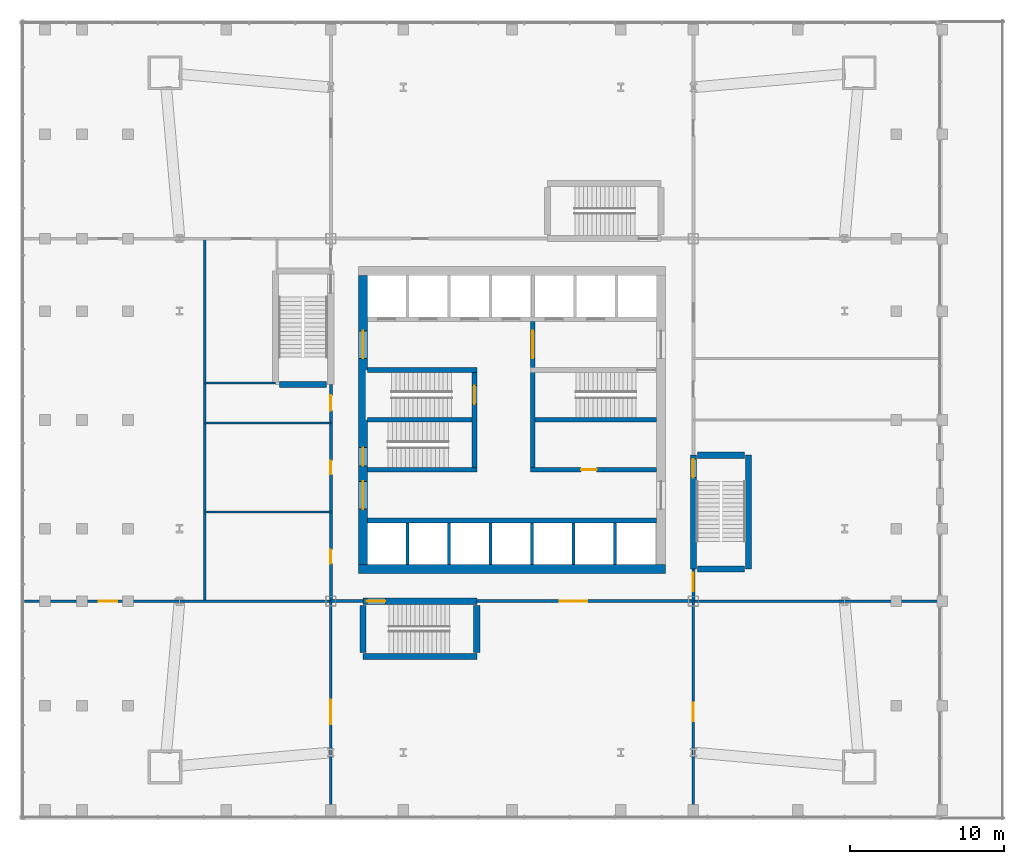
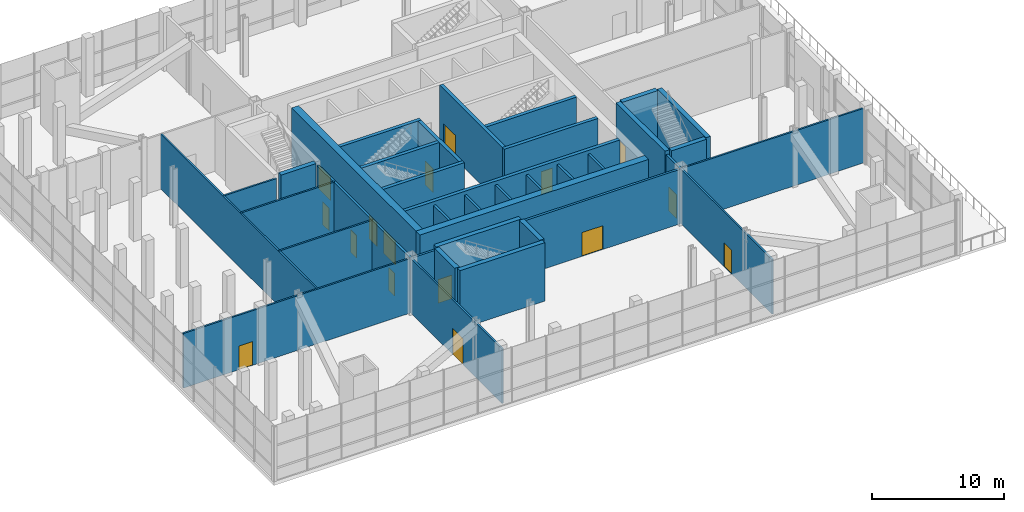
# One storey, part 14 of 17: 37 walls, 16 doors, 16 openings.
"""IFC4 building model written with IfcOpenShell, lengths in metres."""

import ifcopenshell
import ifcopenshell.guid

model = None  # the IFC model being written
_history = None  # IfcOwnerHistory: only IFC2X3 demands one
_inside = {}  # id of a spatial element -> (the spatial element, [elements in it])
_under = {}  # id of a project, library or spatial element -> (it, [spatial elements below it])
_declared = {}  # id of a project -> (the project, [libraries it declares])
_typed = {}  # id of a type object -> (the type object, [elements of that type])
_made_of = {}  # id of a material, layer set ... -> (it, [elements and type objects made of it])


def new_model(schema):
    """Start an empty IFC model of exactly this schema.

    Asked for "IFC4X3", IfcOpenShell would pick the latest addendum, in which some entities
    have other attributes; the version numbers below select the first issue.
    IFC2X3 requires an IfcOwnerHistory on every rooted entity: one is made here for all.
    """
    global model, _history
    if schema == "IFC4X3":
        model = ifcopenshell.file(schema_version=(4, 3, 0, 0))
    else:
        model = ifcopenshell.file(schema=schema)
    _inside.clear()
    _under.clear()
    _declared.clear()
    _typed.clear()
    _made_of.clear()
    _history = None
    if model.schema == "IFC2X3":
        org = make("IfcOrganization", Name="unknown")
        user = make(
            "IfcPersonAndOrganization",
            ThePerson=make("IfcPerson", FamilyName="unknown"),
            TheOrganization=org,
        )
        app = make(
            "IfcApplication",
            ApplicationDeveloper=org,
            Version="unknown",
            ApplicationFullName="unknown",
            ApplicationIdentifier="unknown",
        )
        _history = make(
            "IfcOwnerHistory",
            OwningUser=user,
            OwningApplication=app,
            ChangeAction="ADDED",
            CreationDate=0,
        )
    return model


def make(cls, **values):
    """One entity of the class cls with the attributes given. An attribute that is None is left unset."""
    return model.create_entity(
        cls, **{name: value for name, value in values.items() if value is not None}
    )


def rooted(cls, **values):
    """An entity with a GlobalId (a new one), such as an element, a storey or a relation."""
    return make(cls, GlobalId=ifcopenshell.guid.new(), OwnerHistory=_history, **values)


def si_unit(unit_type, name, prefix=None):
    """IfcSIUnit, for example si_unit("LENGTHUNIT", "METRE", prefix="MILLI")."""
    return make("IfcSIUnit", UnitType=unit_type, Prefix=prefix, Name=name)


def assignment(units):
    """IfcUnitAssignment: the units of a project."""
    return None if units is None else make("IfcUnitAssignment", Units=units)


def point(xyz):
    """IfcCartesianPoint."""
    return None if xyz is None else make("IfcCartesianPoint", Coordinates=xyz)


def direction(xyz):
    """IfcDirection."""
    return None if xyz is None else make("IfcDirection", DirectionRatios=xyz)


def frame(location, z_axis=None, x_axis=None):
    """IfcAxis2Placement3D, a coordinate frame: its origin and axes. An axis left out is left unset."""
    return make(
        "IfcAxis2Placement3D",
        Location=point(location),
        Axis=direction(z_axis),
        RefDirection=direction(x_axis),
    )


def frame_2d(location, x_axis=None):
    """IfcAxis2Placement2D, a coordinate frame in the plane: its origin and x axis."""
    return make(
        "IfcAxis2Placement2D", Location=point(location), RefDirection=direction(x_axis)
    )


def origin():
    """The frame at (0, 0, 0) with its axes left unset."""
    return frame((0.0, 0.0, 0.0))


def place(relative_to, where):
    """IfcLocalPlacement: puts the frame where relative to a parent placement (None: the world)."""
    return make(
        "IfcLocalPlacement", PlacementRelTo=relative_to, RelativePlacement=where
    )


def context(
    kind, dimensions, precision=None, world=None, true_north=None, identifier=None
):
    """IfcGeometricRepresentationContext, for example the 3D "Model" context."""
    return make(
        "IfcGeometricRepresentationContext",
        ContextIdentifier=identifier,
        ContextType=kind,
        CoordinateSpaceDimension=dimensions,
        Precision=precision,
        WorldCoordinateSystem=world,
        TrueNorth=true_north,
    )


def subcontext(parent, identifier, kind, view, scale=None):
    """IfcGeometricRepresentationSubContext, for example "Body" below "Model"."""
    return make(
        "IfcGeometricRepresentationSubContext",
        ContextIdentifier=identifier,
        ContextType=kind,
        ParentContext=parent,
        TargetScale=scale,
        TargetView=view,
    )


def project(units=None, contexts=None):
    """IfcProject with its units and contexts."""
    return rooted(
        "IfcProject",
        Name="project",
        RepresentationContexts=contexts,
        UnitsInContext=assignment(units),
    )


def spatial(cls, under=None, at=None, **own):
    """A site, building, storey or space (cls), placed at a placement, below another one or the project."""
    s = rooted(cls, ObjectPlacement=at, **own)
    if under is not None:
        _under.setdefault(under.id(), (under, []))[1].append(s)
    return s


def profile(cls, at=None, kind="AREA", **sizes):
    """A parametric profile (cls). Its sizes go by their IFC names, for example OverallWidth=200.0."""
    return make(cls, ProfileType=kind, Position=at, **sizes)


def rectangle(**sizes):
    """IfcRectangleProfileDef."""
    return profile("IfcRectangleProfileDef", **sizes)


def extrude(swept, where, along, depth):
    """IfcExtrudedAreaSolid: the profile swept, set in the frame where, extruded along a direction by depth."""
    return make(
        "IfcExtrudedAreaSolid",
        SweptArea=swept,
        Position=where,
        ExtrudedDirection=direction(along),
        Depth=depth,
    )


def shape(context_of_items, identifier, shape_type, items):
    """IfcShapeRepresentation: the items that make up one representation, for example the "Body"."""
    return make(
        "IfcShapeRepresentation",
        ContextOfItems=context_of_items,
        RepresentationIdentifier=identifier,
        RepresentationType=shape_type,
        Items=items,
    )


def material(Name=None, Category=None):
    """IfcMaterial."""
    return make("IfcMaterial", Name=Name, Category=Category)


def layer(
    of_material, thickness, ventilated=None, Name=None, Category=None, Priority=None
):
    """IfcMaterialLayer: one layer of a wall or slab, of a material (None: an air gap)."""
    return make(
        "IfcMaterialLayer",
        Material=of_material,
        LayerThickness=thickness,
        IsVentilated=ventilated,
        Name=Name,
        Category=Category,
        Priority=Priority,
    )


def layer_set(layers, Name=None):
    """IfcMaterialLayerSet."""
    return make("IfcMaterialLayerSet", MaterialLayers=layers, LayerSetName=Name)


def made_of(thing, what):
    """Note that an element or type object is made of a material, layer set ...; save() writes the relation."""
    if what is not None:
        _made_of.setdefault(what.id(), (what, []))[1].append(thing)
    return thing


def type_object(cls, material=None, **own):
    """A type object (cls), such as IfcWallType, which elements share."""
    return made_of(rooted(cls, **own), material)


def element(
    cls,
    number,
    at=None,
    inside=None,
    cuts=None,
    type_object=None,
    material=None,
    context=None,
    identifier="Body",
    shape_type=None,
    held_by="IfcProductDefinitionShape",
    body=None,
    shapes=None,
    **own,
):
    """One element of the class cls, such as IfcWall. Its Tag is "e" and its number.

    at: its placement. inside: the storey or other place that contains it. cuts: it is an
    opening in that element (IfcRelVoidsElement). A single representation is given by context,
    identifier, shape_type and body (its items); several are given by shapes. held_by: the class
    of the entity that holds the representations. save() writes the other relations.
    """
    e = rooted(cls, Tag="e%d" % number, ObjectPlacement=at, **own)
    if body is not None:
        shapes = [shape(context, identifier, shape_type, body)]
    if shapes is not None:
        e.Representation = make(held_by, Representations=shapes)
    if inside is not None:
        _inside.setdefault(inside.id(), (inside, []))[1].append(e)
    if cuts is not None:
        rooted(
            "IfcRelVoidsElement", RelatingBuildingElement=cuts, RelatedOpeningElement=e
        )
    if type_object is not None:
        _typed.setdefault(type_object.id(), (type_object, []))[1].append(e)
    return made_of(e, material)


def fill(opening, filler):
    """IfcRelFillsElement: the door or window that sits in an opening."""
    return rooted(
        "IfcRelFillsElement",
        RelatingOpeningElement=opening,
        RelatedBuildingElement=filler,
    )


def aggregate(whole, parts):
    """IfcRelAggregates: a whole, such as a stair, and the parts it consists of."""
    return rooted("IfcRelAggregates", RelatingObject=whole, RelatedObjects=parts)


def save(model, path):
    """Write the relations noted so far, then the file.

    IfcRelAggregates (storeys below a building ...), IfcRelContainedInSpatialStructure (elements
    in a storey), IfcRelDefinesByType, IfcRelAssociatesMaterial and IfcRelDeclares: one each for
    every whole, place, type object, material and project.
    """
    for whole, parts in _under.values():
        aggregate(whole, parts)
    for where, things in _inside.values():
        rooted(
            "IfcRelContainedInSpatialStructure",
            RelatedElements=things,
            RelatingStructure=where,
        )
    for kind, things in _typed.values():
        rooted("IfcRelDefinesByType", RelatedObjects=things, RelatingType=kind)
    for what, things in _made_of.values():
        rooted("IfcRelAssociatesMaterial", RelatedObjects=things, RelatingMaterial=what)
    for by, libraries in _declared.values():
        rooted("IfcRelDeclares", RelatingContext=by, RelatedDefinitions=libraries)
    model.write(path)


model = new_model("IFC4")

# Units and contexts
model_context = context("Model", 3, precision=1e-05, world=origin(), true_north=direction((0.0, 1.0)))
body_context = subcontext(model_context, "Body", "Model", "MODEL_VIEW")
ifc_project = project(units=[si_unit("LENGTHUNIT", "METRE"), si_unit("AREAUNIT", "SQUARE_METRE"), si_unit("VOLUMEUNIT", "CUBIC_METRE"), si_unit("PLANEANGLEUNIT", "RADIAN"), si_unit("MASSUNIT", "GRAM", prefix="KILO")], contexts=[model_context])

# Site, building, storey
site_placement = place(None, origin())
site = spatial("IfcSite", under=ifc_project, at=site_placement, CompositionType="ELEMENT")
building_placement = place(site_placement, origin())
building = spatial("IfcBuilding", under=site, at=building_placement, Name="Turquesa Mirador Hotel Tower", CompositionType="ELEMENT")
storey_placement = place(building_placement, frame((0.0, 0.0, 5.60009765625)))
storey = spatial("IfcBuildingStorey", under=building, at=storey_placement, Name="L01", CompositionType="ELEMENT", Elevation=5.60009765625)

# Walls
ifc_material_1 = material(Name="Concrete C50/60", Category="concrete")
ifc_layer_1 = layer(ifc_material_1, 0.300048828125)
ifc_layer_set_1 = layer_set([ifc_layer_1], Name="CORE INNER WALL 300")
wall_type_1 = type_object("IfcWallType", Name="CORE INNER WALL 300", PredefinedType="SHEAR", material=ifc_layer_set_1)
wall_1_placement = place(storey_placement, frame((45.60009765625, 38.449951171875, 0.0), z_axis=(0.0, 0.0, 1.0), x_axis=(1.0, 0.0, 0.0)))
element("IfcWall", 1, at=wall_1_placement, inside=storey, type_object=wall_type_1, Name="Core wall SL", PredefinedType="SHEAR", context=body_context, shape_type="SweptSolid", body=[
    extrude(rectangle(XDim=18.7998046875, YDim=0.300048828125, at=frame_2d((9.39990234375, 0.0))), origin(), (0.0, 0.0, 1.0), 5.39990234375),
])
for number, where, z_axis, x_axis, name in (
    (2, (45.60009765625, 48.25, 0.0), (0.0, 0.0, 1.0), (1.0, 0.0, 0.0), "Core wall MN-W"),
    (3, (45.60009765625, 41.75, 0.0), (0.0, 0.0, 1.0), (1.0, 0.0, 0.0), "Core wall MS-W"),
):
    element("IfcWall", number, at=place(storey_placement, frame(where, z_axis=z_axis, x_axis=x_axis)), inside=storey, type_object=wall_type_1, Name=name, PredefinedType="SHEAR", context=body_context, shape_type="SweptSolid", body=[
        extrude(rectangle(XDim=7.099853515625, YDim=0.300048828125, at=frame_2d((3.5498046875, 0.0))), origin(), (0.0, 0.0, 1.0), 5.39990234375),
    ])

# Wall, opening, door
wall_2_placement = place(storey_placement, frame((56.199951171875, 41.75, 0.0), z_axis=(0.0, 0.0, 1.0), x_axis=(1.0, 0.0, 0.0)))
wall_2 = element("IfcWall", 4, at=wall_2_placement, inside=storey, type_object=wall_type_1, Name="Core wall MS-E", PredefinedType="SHEAR", context=body_context, shape_type="SweptSolid", body=[
    extrude(rectangle(XDim=8.199951171875, YDim=0.300048828125, at=frame_2d((4.10009765625, 0.0))), origin(), (0.0, 0.0, 1.0), 5.39990234375),
])
opening_1_placement = place(wall_2_placement, frame((3.300048828125, 0.0, 0.0)))
opening_1 = element("IfcOpeningElement", 5, at=opening_1_placement, cuts=wall_2, Name="Opening D05", PredefinedType="OPENING", context=body_context, shape_type="SweptSolid", body=[
    extrude(rectangle(XDim=1.0, YDim=2.10009765625, at=frame_2d((0.5, 1.050048828125))), frame((0.0, 0.159912109375, 0.0), z_axis=(0.0, -1.0, 0.0), x_axis=(1.0, 0.0, 0.0)), (0.0, 0.0, 1.0), 0.320068359375),
])
ifc_material_2 = material(Name="Steel fire door", Category="steel")
door_type_1 = type_object("IfcDoorType", Name="DOOR 1000X2100 SERVICE", OperationType="SINGLE_SWING_LEFT", PredefinedType="DOOR", material=ifc_material_2)
door_1_placement = place(opening_1_placement, origin())
door_1 = element("IfcDoor", 6, at=door_1_placement, inside=storey, type_object=door_type_1, Name="Housekeeping room door", OperationType="SINGLE_SWING_LEFT", OverallHeight=2.10009765625, OverallWidth=1.0, PredefinedType="DOOR", context=body_context, shape_type="SweptSolid", body=[
    extrude(rectangle(XDim=1.0, YDim=2.10009765625, at=frame_2d((0.5, 1.050048828125))), frame((0.0, 0.02490234375, 0.0), z_axis=(0.0, -1.0, 0.0), x_axis=(1.0, 0.0, 0.0)), (0.0, 0.0, 1.0), 0.050048828125),
])
fill(opening_1, door_1)

wall_3_placement = place(storey_placement, frame((52.550048828125, 41.89990234375, 0.0), z_axis=(0.0, 0.0, 1.0), x_axis=(0.0, 1.0, 0.0)))
wall_3 = element("IfcWall", 7, at=wall_3_placement, inside=storey, type_object=wall_type_1, Name="Core wall PW", PredefinedType="SHEAR", context=body_context, shape_type="SweptSolid", body=[
    extrude(rectangle(XDim=6.2001953125, YDim=0.300048828125, at=frame_2d((3.10009765625, 0.0))), origin(), (0.0, 0.0, 1.0), 5.39990234375),
])
opening_2_placement = place(wall_3_placement, frame((4.125, 0.0, 0.0)))
opening_2 = element("IfcOpeningElement", 8, at=opening_2_placement, cuts=wall_3, Name="Opening D03", PredefinedType="OPENING", context=body_context, shape_type="SweptSolid", body=[
    extrude(rectangle(XDim=1.199951171875, YDim=2.199951171875, at=frame_2d((0.60009765625, 1.10009765625))), frame((0.0, 0.159912109375, 0.0), z_axis=(0.0, -1.0, 0.0), x_axis=(1.0, 0.0, 0.0)), (0.0, 0.0, 1.0), 0.320068359375),
])
ifc_material_3 = material(Name="Steel fire door", Category="steel")
door_type_2 = type_object("IfcDoorType", Name="DOOR 1200X2200 STAIR", OperationType="SINGLE_SWING_LEFT", PredefinedType="DOOR", material=ifc_material_3)
door_2_placement = place(opening_2_placement, origin())
door_2 = element("IfcDoor", 9, at=door_2_placement, inside=storey, type_object=door_type_2, Name="Stair ST1 door", OperationType="SINGLE_SWING_LEFT", OverallHeight=2.199951171875, OverallWidth=1.199951171875, PredefinedType="DOOR", context=body_context, shape_type="SweptSolid", body=[
    extrude(rectangle(XDim=1.199951171875, YDim=2.199951171875, at=frame_2d((0.60009765625, 1.10009765625))), frame((0.0, 0.02490234375, 0.0), z_axis=(0.0, -1.0, 0.0), x_axis=(1.0, 0.0, 0.0)), (0.0, 0.0, 1.0), 0.050048828125),
])
fill(opening_2, door_2)

wall_4_placement = place(storey_placement, frame((56.35009765625, 41.89990234375, 0.0), z_axis=(0.0, 0.0, 1.0), x_axis=(0.0, 1.0, 0.0)))
wall_4 = element("IfcWall", 10, at=wall_4_placement, inside=storey, type_object=wall_type_1, Name="Core wall PE", PredefinedType="SHEAR", context=body_context, shape_type="SweptSolid", body=[
    extrude(rectangle(XDim=9.5, YDim=0.300048828125, at=frame_2d((4.75, 0.0))), origin(), (0.0, 0.0, 1.0), 5.39990234375),
])
opening_3_placement = place(wall_4_placement, frame((7.10009765625, 0.0, 0.0)))
opening_3 = element("IfcOpeningElement", 11, at=opening_3_placement, cuts=wall_4, Name="Opening D04", PredefinedType="OPENING", context=body_context, shape_type="SweptSolid", body=[
    extrude(rectangle(XDim=1.800048828125, YDim=2.199951171875, at=frame_2d((0.89990234375, 1.10009765625))), frame((0.0, 0.159912109375, 0.0), z_axis=(0.0, -1.0, 0.0), x_axis=(1.0, 0.0, 0.0)), (0.0, 0.0, 1.0), 0.320068359375),
])
ifc_material_4 = material(Name="Steel fire door pair", Category="steel")
door_type_3 = type_object("IfcDoorType", Name="DOOR 1800X2200 PAIR", OperationType="DOUBLE_DOOR_SINGLE_SWING", PredefinedType="DOOR", material=ifc_material_4)
door_3_placement = place(opening_3_placement, origin())
door_3 = element("IfcDoor", 12, at=door_3_placement, inside=storey, type_object=door_type_3, Name="Firefighting lobby inner door", OperationType="DOUBLE_DOOR_SINGLE_SWING", OverallHeight=2.199951171875, OverallWidth=1.800048828125, PredefinedType="DOOR", context=body_context, shape_type="SweptSolid", body=[
    extrude(rectangle(XDim=1.800048828125, YDim=2.199951171875, at=frame_2d((0.89990234375, 1.10009765625))), frame((0.0, 0.02490234375, 0.0), z_axis=(0.0, -1.0, 0.0), x_axis=(1.0, 0.0, 0.0)), (0.0, 0.0, 1.0), 0.050048828125),
])
fill(opening_3, door_3)

# Walls
wall_5_placement = place(storey_placement, frame((45.60009765625, 45.0, 0.0), z_axis=(0.0, 0.0, 1.0), x_axis=(1.0, 0.0, 0.0)))
element("IfcWall", 13, at=wall_5_placement, inside=storey, type_object=wall_type_1, Name="Core wall M0-W", PredefinedType="SHEAR", context=body_context, shape_type="SweptSolid", body=[
    extrude(rectangle(XDim=6.7998046875, YDim=0.300048828125, at=frame_2d((3.39990234375, 0.0))), origin(), (0.0, 0.0, 1.0), 5.39990234375),
])
wall_6_placement = place(storey_placement, frame((56.5, 45.0, 0.0), z_axis=(0.0, 0.0, 1.0), x_axis=(1.0, 0.0, 0.0)))
element("IfcWall", 14, at=wall_6_placement, inside=storey, type_object=wall_type_1, Name="Core wall M0-E", PredefinedType="SHEAR", context=body_context, shape_type="SweptSolid", body=[
    extrude(rectangle(XDim=7.89990234375, YDim=0.300048828125, at=frame_2d((3.949951171875, 0.0))), origin(), (0.0, 0.0, 1.0), 5.39990234375),
])
ifc_material_5 = material(Name="Concrete C50/60", Category="concrete")
ifc_layer_2 = layer(ifc_material_5, 0.60009765625)
ifc_layer_set_2 = layer_set([ifc_layer_2], Name="CORE WALL 600")
wall_type_2 = type_object("IfcWallType", Name="CORE WALL 600", PredefinedType="SHEAR", material=ifc_layer_set_2)
wall_7_placement = place(storey_placement, frame((45.0, 35.300048828125, 0.0), z_axis=(0.0, 0.0, 1.0), x_axis=(1.0, 0.0, 0.0)))
element("IfcWall", 15, at=wall_7_placement, inside=storey, type_object=wall_type_2, Name="Core wall S", PredefinedType="SHEAR", context=body_context, shape_type="SweptSolid", body=[
    extrude(rectangle(XDim=20.0, YDim=0.60009765625, at=frame_2d((10.0, 0.0))), origin(), (0.0, 0.0, 1.0), 5.39990234375),
])

# Wall, openings, doors
wall_8_placement = place(storey_placement, frame((45.300048828125, 35.60009765625, 0.0), z_axis=(0.0, 0.0, 1.0), x_axis=(0.0, 1.0, 0.0)))
wall_8 = element("IfcWall", 16, at=wall_8_placement, inside=storey, type_object=wall_type_2, Name="Core wall W", PredefinedType="SHEAR", context=body_context, shape_type="SweptSolid", body=[
    extrude(rectangle(XDim=18.7998046875, YDim=0.60009765625, at=frame_2d((9.39990234375, 0.0))), origin(), (0.0, 0.0, 1.0), 5.39990234375),
])
opening_4_placement = place(wall_8_placement, frame((13.39990234375, 0.0, 0.0)))
opening_4 = element("IfcOpeningElement", 17, at=opening_4_placement, cuts=wall_8, Name="Opening D04", PredefinedType="OPENING", context=body_context, shape_type="SweptSolid", body=[
    extrude(rectangle(XDim=1.800048828125, YDim=2.199951171875, at=frame_2d((0.89990234375, 1.10009765625))), frame((0.0, 0.31005859375, 0.0), z_axis=(0.0, -1.0, 0.0), x_axis=(1.0, 0.0, 0.0)), (0.0, 0.0, 1.0), 0.6201171875),
])
opening_5_placement = place(wall_8_placement, frame((3.60009765625, 0.0, 0.0)))
opening_5 = element("IfcOpeningElement", 18, at=opening_5_placement, cuts=wall_8, Name="Opening D04", PredefinedType="OPENING", context=body_context, shape_type="SweptSolid", body=[
    extrude(rectangle(XDim=1.800048828125, YDim=2.199951171875, at=frame_2d((0.89990234375, 1.10009765625))), frame((0.0, 0.31005859375, 0.0), z_axis=(0.0, -1.0, 0.0), x_axis=(1.0, 0.0, 0.0)), (0.0, 0.0, 1.0), 0.6201171875),
])
opening_6_placement = place(wall_8_placement, frame((6.39990234375, 0.0, 0.0)))
opening_6 = element("IfcOpeningElement", 19, at=opening_6_placement, cuts=wall_8, Name="Opening D03", PredefinedType="OPENING", context=body_context, shape_type="SweptSolid", body=[
    extrude(rectangle(XDim=1.199951171875, YDim=2.199951171875, at=frame_2d((0.60009765625, 1.10009765625))), frame((0.0, 0.31005859375, 0.0), z_axis=(0.0, -1.0, 0.0), x_axis=(1.0, 0.0, 0.0)), (0.0, 0.0, 1.0), 0.6201171875),
])
door_4_placement = place(opening_6_placement, origin())
door_4 = element("IfcDoor", 20, at=door_4_placement, inside=storey, type_object=door_type_2, Name="Stair ST2 door", OperationType="SINGLE_SWING_LEFT", OverallHeight=2.199951171875, OverallWidth=1.199951171875, PredefinedType="DOOR", context=body_context, shape_type="SweptSolid", body=[
    extrude(rectangle(XDim=1.199951171875, YDim=2.199951171875, at=frame_2d((0.60009765625, 1.10009765625))), frame((0.0, 0.02490234375, 0.0), z_axis=(0.0, -1.0, 0.0), x_axis=(1.0, 0.0, 0.0)), (0.0, 0.0, 1.0), 0.050048828125),
])
fill(opening_6, door_4)
door_5_placement = place(opening_4_placement, origin())
door_5 = element("IfcDoor", 21, at=door_5_placement, inside=storey, type_object=door_type_3, Name="North lift lobby door", OperationType="DOUBLE_DOOR_SINGLE_SWING", OverallHeight=2.199951171875, OverallWidth=1.800048828125, PredefinedType="DOOR", context=body_context, shape_type="SweptSolid", body=[
    extrude(rectangle(XDim=1.800048828125, YDim=2.199951171875, at=frame_2d((0.89990234375, 1.10009765625))), frame((0.0, 0.02490234375, 0.0), z_axis=(0.0, -1.0, 0.0), x_axis=(1.0, 0.0, 0.0)), (0.0, 0.0, 1.0), 0.050048828125),
])
fill(opening_4, door_5)
door_6_placement = place(opening_5_placement, origin())
door_6 = element("IfcDoor", 22, at=door_6_placement, inside=storey, type_object=door_type_3, Name="South lift lobby door", OperationType="DOUBLE_DOOR_SINGLE_SWING", OverallHeight=2.199951171875, OverallWidth=1.800048828125, PredefinedType="DOOR", context=body_context, shape_type="SweptSolid", body=[
    extrude(rectangle(XDim=1.800048828125, YDim=2.199951171875, at=frame_2d((0.89990234375, 1.10009765625))), frame((0.0, 0.02490234375, 0.0), z_axis=(0.0, -1.0, 0.0), x_axis=(1.0, 0.0, 0.0)), (0.0, 0.0, 1.0), 0.050048828125),
])
fill(opening_5, door_6)

# Wall
ifc_material_6 = material(Name="Fire-rated gypsum board on steel studs", Category="steel")
ifc_layer_3 = layer(ifc_material_6, 0.199951171875)
ifc_layer_set_3 = layer_set([ifc_layer_3], Name="CORRIDOR WALL 200")
wall_type_3 = type_object("IfcWallType", Name="CORRIDOR WALL 200", PredefinedType="PARTITIONING", material=ifc_layer_set_3)
wall_9_placement = place(storey_placement, frame((43.199951171875, 33.199951171875, 0.0), z_axis=(0.0, 0.0, 1.0), x_axis=(1.0, 0.0, 0.0)))
element("IfcWall", 23, at=wall_9_placement, inside=storey, type_object=wall_type_3, Name="Partition L01 002", PredefinedType="PARTITIONING", context=body_context, shape_type="SweptSolid", body=[
    extrude(rectangle(XDim=2.10009765625, YDim=0.199951171875, at=frame_2d((1.050048828125, 0.0))), origin(), (0.0, 0.0, 1.0), 5.0498046875),
])

# Wall, opening, door
wall_10_placement = place(storey_placement, frame((52.699951171875, 33.199951171875, 0.0), z_axis=(0.0, 0.0, 1.0), x_axis=(1.0, 0.0, 0.0)))
wall_10 = element("IfcWall", 24, at=wall_10_placement, inside=storey, type_object=wall_type_3, Name="Partition L01 003", PredefinedType="PARTITIONING", context=body_context, shape_type="SweptSolid", body=[
    extrude(rectangle(XDim=14.10009765625, YDim=0.199951171875, at=frame_2d((7.050048828125, 0.0))), origin(), (0.0, 0.0, 1.0), 5.0498046875),
])
opening_7_placement = place(wall_10_placement, frame((5.39990234375, 0.0, 0.0)))
opening_7 = element("IfcOpeningElement", 25, at=opening_7_placement, cuts=wall_10, Name="Opening D04", PredefinedType="OPENING", context=body_context, shape_type="SweptSolid", body=[
    extrude(rectangle(XDim=1.800048828125, YDim=2.199951171875, at=frame_2d((0.89990234375, 1.10009765625))), frame((0.0, 0.10986328125, 0.0), z_axis=(0.0, -1.0, 0.0), x_axis=(1.0, 0.0, 0.0)), (0.0, 0.0, 1.0), 0.219970703125),
])
door_7_placement = place(opening_7_placement, origin())
door_7 = element("IfcDoor", 26, at=door_7_placement, inside=storey, type_object=door_type_3, Name="Door L01-01", OperationType="DOUBLE_DOOR_SINGLE_SWING", OverallHeight=2.199951171875, OverallWidth=1.800048828125, PredefinedType="DOOR", context=body_context, shape_type="SweptSolid", body=[
    extrude(rectangle(XDim=1.800048828125, YDim=2.199951171875, at=frame_2d((0.89990234375, 1.10009765625))), frame((0.0, 0.02490234375, 0.0), z_axis=(0.0, -1.0, 0.0), x_axis=(1.0, 0.0, 0.0)), (0.0, 0.0, 1.0), 0.050048828125),
])
fill(opening_7, door_7)

# Wall, openings, doors
wall_11_placement = place(storey_placement, frame((43.199951171875, 33.199951171875, 0.0), z_axis=(0.0, 0.0, 1.0), x_axis=(0.0, 1.0, 0.0)))
wall_11 = element("IfcWall", 27, at=wall_11_placement, inside=storey, type_object=wall_type_3, Name="Partition L01 021", PredefinedType="PARTITIONING", context=body_context, shape_type="SweptSolid", body=[
    extrude(rectangle(XDim=14.10009765625, YDim=0.199951171875, at=frame_2d((7.050048828125, 0.0))), origin(), (0.0, 0.0, 1.0), 5.0498046875),
])
opening_8_placement = place(wall_11_placement, frame((12.39990234375, 0.0, 0.0)))
opening_8 = element("IfcOpeningElement", 28, at=opening_8_placement, cuts=wall_11, Name="Opening D07", PredefinedType="OPENING", context=body_context, shape_type="SweptSolid", body=[
    extrude(rectangle(XDim=1.0, YDim=2.10009765625, at=frame_2d((0.5, 1.050048828125))), frame((0.0, 0.10986328125, 0.0), z_axis=(0.0, -1.0, 0.0), x_axis=(1.0, 0.0, 0.0)), (0.0, 0.0, 1.0), 0.219970703125),
])
opening_9_placement = place(wall_11_placement, frame((2.449951171875, 0.0, 0.0)))
opening_9 = element("IfcOpeningElement", 29, at=opening_9_placement, cuts=wall_11, Name="Opening D06", PredefinedType="OPENING", context=body_context, shape_type="SweptSolid", body=[
    extrude(rectangle(XDim=0.89990234375, YDim=2.10009765625, at=frame_2d((0.449951171875, 1.050048828125))), frame((0.0, 0.10986328125, 0.0), z_axis=(0.0, -1.0, 0.0), x_axis=(1.0, 0.0, 0.0)), (0.0, 0.0, 1.0), 0.219970703125),
])
opening_10_placement = place(wall_11_placement, frame((8.25, 0.0, 0.0)))
opening_10 = element("IfcOpeningElement", 30, at=opening_10_placement, cuts=wall_11, Name="Opening D06", PredefinedType="OPENING", context=body_context, shape_type="SweptSolid", body=[
    extrude(rectangle(XDim=0.89990234375, YDim=2.10009765625, at=frame_2d((0.449951171875, 1.050048828125))), frame((0.0, 0.10986328125, 0.0), z_axis=(0.0, -1.0, 0.0), x_axis=(1.0, 0.0, 0.0)), (0.0, 0.0, 1.0), 0.219970703125),
])
ifc_material_7 = material(Name="Laminate sliding door", Category="wood")
door_type_4 = type_object("IfcDoorType", Name="DOOR 1000X2100 ACCESSIBLE WC", OperationType="SLIDING_TO_LEFT", PredefinedType="DOOR", material=ifc_material_7)
door_8_placement = place(opening_8_placement, origin())
door_8 = element("IfcDoor", 31, at=door_8_placement, inside=storey, type_object=door_type_4, Name="Door L01-06", OperationType="SLIDING_TO_LEFT", OverallHeight=2.10009765625, OverallWidth=1.0, PredefinedType="DOOR", context=body_context, shape_type="SweptSolid", body=[
    extrude(rectangle(XDim=1.0, YDim=2.10009765625, at=frame_2d((0.5, 1.050048828125))), frame((0.0, 0.02490234375, 0.0), z_axis=(0.0, -1.0, 0.0), x_axis=(1.0, 0.0, 0.0)), (0.0, 0.0, 1.0), 0.050048828125),
])
fill(opening_8, door_8)
ifc_material_8 = material(Name="Laminate door", Category="wood")
door_type_5 = type_object("IfcDoorType", Name="DOOR 900X2100 WC", OperationType="SINGLE_SWING_LEFT", PredefinedType="DOOR", material=ifc_material_8)
door_9_placement = place(opening_9_placement, origin())
door_9 = element("IfcDoor", 32, at=door_9_placement, inside=storey, type_object=door_type_5, Name="Door L01-04", OperationType="SINGLE_SWING_LEFT", OverallHeight=2.10009765625, OverallWidth=0.89990234375, PredefinedType="DOOR", context=body_context, shape_type="SweptSolid", body=[
    extrude(rectangle(XDim=0.89990234375, YDim=2.10009765625, at=frame_2d((0.449951171875, 1.050048828125))), frame((0.0, 0.02490234375, 0.0), z_axis=(0.0, -1.0, 0.0), x_axis=(1.0, 0.0, 0.0)), (0.0, 0.0, 1.0), 0.050048828125),
])
fill(opening_9, door_9)
door_10_placement = place(opening_10_placement, origin())
door_10 = element("IfcDoor", 33, at=door_10_placement, inside=storey, type_object=door_type_5, Name="Door L01-05", OperationType="SINGLE_SWING_LEFT", OverallHeight=2.10009765625, OverallWidth=0.89990234375, PredefinedType="DOOR", context=body_context, shape_type="SweptSolid", body=[
    extrude(rectangle(XDim=0.89990234375, YDim=2.10009765625, at=frame_2d((0.449951171875, 1.050048828125))), frame((0.0, 0.02490234375, 0.0), z_axis=(0.0, -1.0, 0.0), x_axis=(1.0, 0.0, 0.0)), (0.0, 0.0, 1.0), 0.050048828125),
])
fill(opening_10, door_10)

# Wall, opening, door
wall_12_placement = place(storey_placement, frame((66.800048828125, 33.199951171875, 0.0), z_axis=(0.0, 0.0, 1.0), x_axis=(0.0, 1.0, 0.0)))
wall_12 = element("IfcWall", 34, at=wall_12_placement, inside=storey, type_object=wall_type_3, Name="Partition L01 029", PredefinedType="PARTITIONING", context=body_context, shape_type="SweptSolid", body=[
    extrude(rectangle(XDim=2.10009765625, YDim=0.199951171875, at=frame_2d((1.050048828125, 0.0))), origin(), (0.0, 0.0, 1.0), 5.0498046875),
])
opening_11_placement = place(wall_12_placement, frame((0.64990234375, 0.0, 0.0)))
opening_11 = element("IfcOpeningElement", 35, at=opening_11_placement, cuts=wall_12, Name="Opening D09", PredefinedType="OPENING", context=body_context, shape_type="SweptSolid", body=[
    extrude(rectangle(XDim=1.199951171875, YDim=2.199951171875, at=frame_2d((0.60009765625, 1.10009765625))), frame((0.0, 0.10986328125, 0.0), z_axis=(0.0, -1.0, 0.0), x_axis=(1.0, 0.0, 0.0)), (0.0, 0.0, 1.0), 0.219970703125),
])
ifc_material_9 = material(Name="Timber door", Category="wood")
door_type_6 = type_object("IfcDoorType", Name="DOOR 1200X2200 OFFICE", OperationType="SINGLE_SWING_LEFT", PredefinedType="DOOR", material=ifc_material_9)
door_11_placement = place(opening_11_placement, origin())
door_11 = element("IfcDoor", 36, at=door_11_placement, inside=storey, type_object=door_type_6, Name="Door L01-12", OperationType="SINGLE_SWING_LEFT", OverallHeight=2.199951171875, OverallWidth=1.199951171875, PredefinedType="DOOR", context=body_context, shape_type="SweptSolid", body=[
    extrude(rectangle(XDim=1.199951171875, YDim=2.199951171875, at=frame_2d((0.60009765625, 1.10009765625))), frame((0.0, 0.02490234375, 0.0), z_axis=(0.0, -1.0, 0.0), x_axis=(1.0, 0.0, 0.0)), (0.0, 0.0, 1.0), 0.050048828125),
])
fill(opening_11, door_11)

# Walls
ifc_material_10 = material(Name="Fire-rated gypsum shaft wall on steel studs", Category="steel")
ifc_layer_4 = layer(ifc_material_10, 0.199951171875)
ifc_layer_set_4 = layer_set([ifc_layer_4], Name="LIFT SHAFT DIVIDER 200")
wall_type_4 = type_object("IfcWallType", Name="LIFT SHAFT DIVIDER 200", PredefinedType="PARTITIONING", material=ifc_layer_set_4)
for number, where, z_axis, x_axis, name in (
    (37, (48.199951171875, 35.60009765625, 0.0), (0.0, 0.0, 1.0), (0.0, 1.0, 0.0), "Lift shaft divider"),
    (38, (50.89990234375, 35.60009765625, 0.0), (0.0, 0.0, 1.0), (0.0, 1.0, 0.0), "Lift shaft divider"),
    (39, (53.60009765625, 35.60009765625, 0.0), (0.0, 0.0, 1.0), (0.0, 1.0, 0.0), "Lift shaft divider"),
    (40, (56.300048828125, 35.60009765625, 0.0), (0.0, 0.0, 1.0), (0.0, 1.0, 0.0), "Lift shaft divider"),
    (41, (59.0, 35.60009765625, 0.0), (0.0, 0.0, 1.0), (0.0, 1.0, 0.0), "Lift shaft divider"),
    (42, (61.699951171875, 35.60009765625, 0.0), (0.0, 0.0, 1.0), (0.0, 1.0, 0.0), "Lift shaft divider"),
):
    element("IfcWall", number, at=place(storey_placement, frame(where, z_axis=z_axis, x_axis=x_axis)), inside=storey, type_object=wall_type_4, Name=name, PredefinedType="PARTITIONING", context=body_context, shape_type="SweptSolid", body=[
        extrude(rectangle(XDim=2.699951171875, YDim=0.199951171875, at=frame_2d((1.35009765625, 0.0))), origin(), (0.0, 0.0, 1.0), 5.0498046875),
    ])
ifc_material_11 = material(Name="Gypsum board on steel studs", Category="steel")
ifc_layer_5 = layer(ifc_material_11, 0.14990234375)
ifc_layer_set_5 = layer_set([ifc_layer_5], Name="PARTITION 150")
wall_type_5 = type_object("IfcWallType", Name="PARTITION 150", PredefinedType="PARTITIONING", material=ifc_layer_set_5)
wall_13_placement = place(storey_placement, frame((35.0, 44.800048828125, 0.0), z_axis=(0.0, 0.0, 1.0), x_axis=(1.0, 0.0, 0.0)))
element("IfcWall", 43, at=wall_13_placement, inside=storey, type_object=wall_type_5, Name="Partition L01 001", PredefinedType="PARTITIONING", context=body_context, shape_type="SweptSolid", body=[
    extrude(rectangle(XDim=8.199951171875, YDim=0.14990234375, at=frame_2d((4.10009765625, 0.0))), origin(), (0.0, 0.0, 1.0), 5.0498046875),
])

# Wall, opening, door
wall_14_placement = place(storey_placement, frame((23.2548828125, 33.199951171875, 0.0), z_axis=(0.0, 0.0, 1.0), x_axis=(1.0, 0.0, 0.0)))
wall_14 = element("IfcWall", 44, at=wall_14_placement, inside=storey, type_object=wall_type_5, Name="Partition L01 004", PredefinedType="PARTITIONING", context=body_context, shape_type="SweptSolid", body=[
    extrude(rectangle(XDim=19.945068359375, YDim=0.14990234375, at=frame_2d((9.97265625, 0.0))), origin(), (0.0, 0.0, 1.0), 5.0498046875),
])
opening_12_placement = place(wall_14_placement, frame((4.844970703125, 0.0, 0.0)))
opening_12 = element("IfcOpeningElement", 45, at=opening_12_placement, cuts=wall_14, Name="Opening D09", PredefinedType="OPENING", context=body_context, shape_type="SweptSolid", body=[
    extrude(rectangle(XDim=1.199951171875, YDim=2.199951171875, at=frame_2d((0.60009765625, 1.10009765625))), frame((0.0, 0.0849609375, 0.0), z_axis=(0.0, -1.0, 0.0), x_axis=(1.0, 0.0, 0.0)), (0.0, 0.0, 1.0), 0.169921875),
])
door_12_placement = place(opening_12_placement, origin())
door_12 = element("IfcDoor", 46, at=door_12_placement, inside=storey, type_object=door_type_6, Name="Door L01-08", OperationType="SINGLE_SWING_LEFT", OverallHeight=2.199951171875, OverallWidth=1.199951171875, PredefinedType="DOOR", context=body_context, shape_type="SweptSolid", body=[
    extrude(rectangle(XDim=1.199951171875, YDim=2.199951171875, at=frame_2d((0.60009765625, 1.10009765625))), frame((0.0, 0.02490234375, 0.0), z_axis=(0.0, -1.0, 0.0), x_axis=(1.0, 0.0, 0.0)), (0.0, 0.0, 1.0), 0.050048828125),
])
fill(opening_12, door_12)

# Walls
wall_15_placement = place(storey_placement, frame((66.800048828125, 33.199951171875, 0.0), z_axis=(0.0, 0.0, 1.0), x_axis=(1.0, 0.0, 0.0)))
element("IfcWall", 47, at=wall_15_placement, inside=storey, type_object=wall_type_5, Name="Partition L01 005", PredefinedType="PARTITIONING", context=body_context, shape_type="SweptSolid", body=[
    extrude(rectangle(XDim=15.89990234375, YDim=0.14990234375, at=frame_2d((7.949951171875, 0.0))), origin(), (0.0, 0.0, 1.0), 5.0498046875),
])
wall_16_placement = place(storey_placement, frame((35.0, 39.0, 0.0), z_axis=(0.0, 0.0, 1.0), x_axis=(1.0, 0.0, 0.0)))
element("IfcWall", 48, at=wall_16_placement, inside=storey, type_object=wall_type_5, Name="Partition L01 009", PredefinedType="PARTITIONING", context=body_context, shape_type="SweptSolid", body=[
    extrude(rectangle(XDim=8.199951171875, YDim=0.14990234375, at=frame_2d((4.10009765625, 0.0))), origin(), (0.0, 0.0, 1.0), 5.0498046875),
])
wall_17_placement = place(storey_placement, frame((35.0, 47.39990234375, 0.0), z_axis=(0.0, 0.0, 1.0), x_axis=(1.0, 0.0, 0.0)))
element("IfcWall", 49, at=wall_17_placement, inside=storey, type_object=wall_type_5, Name="Partition L01 019", PredefinedType="PARTITIONING", context=body_context, shape_type="SweptSolid", body=[
    extrude(rectangle(XDim=4.60009765625, YDim=0.14990234375, at=frame_2d((2.300048828125, 0.0))), origin(), (0.0, 0.0, 1.0), 5.0498046875),
])

# Wall, opening, door
wall_18_placement = place(storey_placement, frame((43.199951171875, 19.300048828125, 0.0), z_axis=(0.0, 0.0, 1.0), x_axis=(0.0, 1.0, 0.0)))
wall_18 = element("IfcWall", 50, at=wall_18_placement, inside=storey, type_object=wall_type_5, Name="Partition L01 023", PredefinedType="PARTITIONING", context=body_context, shape_type="SweptSolid", body=[
    extrude(rectangle(XDim=13.89990234375, YDim=0.14990234375, at=frame_2d((6.949951171875, 0.0))), origin(), (0.0, 0.0, 1.0), 5.0498046875),
])
opening_13_placement = place(wall_18_placement, frame((5.89990234375, 0.0, 0.0)))
opening_13 = element("IfcOpeningElement", 51, at=opening_13_placement, cuts=wall_18, Name="Opening D08", PredefinedType="OPENING", context=body_context, shape_type="SweptSolid", body=[
    extrude(rectangle(XDim=1.60009765625, YDim=2.39990234375, at=frame_2d((0.800048828125, 1.199951171875))), frame((0.0, 0.0849609375, 0.0), z_axis=(0.0, -1.0, 0.0), x_axis=(1.0, 0.0, 0.0)), (0.0, 0.0, 1.0), 0.169921875),
])
ifc_material_12 = material(Name="Aluminium glazed door pair", Category="aluminium")
door_type_7 = type_object("IfcDoorType", Name="DOOR 1600X2400 GLAZED PAIR", OperationType="DOUBLE_DOOR_SINGLE_SWING", PredefinedType="DOOR", material=ifc_material_12)
door_13_placement = place(opening_13_placement, origin())
door_13 = element("IfcDoor", 52, at=door_13_placement, inside=storey, type_object=door_type_7, Name="Door L01-02", OperationType="DOUBLE_DOOR_SINGLE_SWING", OverallHeight=2.39990234375, OverallWidth=1.60009765625, PredefinedType="DOOR", context=body_context, shape_type="SweptSolid", body=[
    extrude(rectangle(XDim=1.60009765625, YDim=2.39990234375, at=frame_2d((0.800048828125, 1.199951171875))), frame((0.0, 0.02490234375, 0.0), z_axis=(0.0, -1.0, 0.0), x_axis=(1.0, 0.0, 0.0)), (0.0, 0.0, 1.0), 0.050048828125),
])
fill(opening_13, door_13)

# Wall
wall_19_placement = place(storey_placement, frame((35.0, 33.199951171875, 0.0), z_axis=(0.0, 0.0, 1.0), x_axis=(0.0, 1.0, 0.0)))
element("IfcWall", 53, at=wall_19_placement, inside=storey, type_object=wall_type_5, Name="Partition L01 027", PredefinedType="PARTITIONING", context=body_context, shape_type="SweptSolid", body=[
    extrude(rectangle(XDim=23.60009765625, YDim=0.14990234375, at=frame_2d((11.800048828125, 0.0))), origin(), (0.0, 0.0, 1.0), 5.0498046875),
])

# Wall, opening, door
wall_20_placement = place(storey_placement, frame((66.800048828125, 19.300048828125, 0.0), z_axis=(0.0, 0.0, 1.0), x_axis=(0.0, 1.0, 0.0)))
wall_20 = element("IfcWall", 54, at=wall_20_placement, inside=storey, type_object=wall_type_5, Name="Partition L01 032", PredefinedType="PARTITIONING", context=body_context, shape_type="SweptSolid", body=[
    extrude(rectangle(XDim=13.89990234375, YDim=0.14990234375, at=frame_2d((6.949951171875, 0.0))), origin(), (0.0, 0.0, 1.0), 5.0498046875),
])
opening_14_placement = place(wall_20_placement, frame((6.10009765625, 0.0, 0.0)))
opening_14 = element("IfcOpeningElement", 55, at=opening_14_placement, cuts=wall_20, Name="Opening D09", PredefinedType="OPENING", context=body_context, shape_type="SweptSolid", body=[
    extrude(rectangle(XDim=1.199951171875, YDim=2.199951171875, at=frame_2d((0.60009765625, 1.10009765625))), frame((0.0, 0.0849609375, 0.0), z_axis=(0.0, -1.0, 0.0), x_axis=(1.0, 0.0, 0.0)), (0.0, 0.0, 1.0), 0.169921875),
])
door_14_placement = place(opening_14_placement, origin())
door_14 = element("IfcDoor", 56, at=door_14_placement, inside=storey, type_object=door_type_6, Name="Door L01-03", OperationType="SINGLE_SWING_LEFT", OverallHeight=2.199951171875, OverallWidth=1.199951171875, PredefinedType="DOOR", context=body_context, shape_type="SweptSolid", body=[
    extrude(rectangle(XDim=1.199951171875, YDim=2.199951171875, at=frame_2d((0.60009765625, 1.10009765625))), frame((0.0, 0.02490234375, 0.0), z_axis=(0.0, -1.0, 0.0), x_axis=(1.0, 0.0, 0.0)), (0.0, 0.0, 1.0), 0.050048828125),
])
fill(opening_14, door_14)

ifc_material_13 = material(Name="Concrete C50/60", Category="concrete")
ifc_layer_6 = layer(ifc_material_13, 0.39990234375)
ifc_layer_set_6 = layer_set([ifc_layer_6], Name="STAIR WALL 400")
wall_type_6 = type_object("IfcWallType", Name="STAIR WALL 400", PredefinedType="SHEAR", material=ifc_layer_set_6)
wall_21_placement = place(storey_placement, frame((45.300048828125, 33.199951171875, 0.0), z_axis=(0.0, 0.0, 1.0), x_axis=(1.0, 0.0, 0.0)))
wall_21 = element("IfcWall", 57, at=wall_21_placement, inside=storey, type_object=wall_type_6, Name="Stair wall L01 006", PredefinedType="SHEAR", context=body_context, shape_type="SweptSolid", body=[
    extrude(rectangle(XDim=7.39990234375, YDim=0.39990234375, at=frame_2d((3.699951171875, 0.0))), origin(), (0.0, 0.0, 1.0), 5.39990234375),
])
opening_15_placement = place(wall_21_placement, frame((0.25, 0.0, 0.0)))
opening_15 = element("IfcOpeningElement", 58, at=opening_15_placement, cuts=wall_21, Name="Opening D03", PredefinedType="OPENING", context=body_context, shape_type="SweptSolid", body=[
    extrude(rectangle(XDim=1.199951171875, YDim=2.199951171875, at=frame_2d((0.60009765625, 1.10009765625))), frame((0.0, 0.2099609375, 0.0), z_axis=(0.0, -1.0, 0.0), x_axis=(1.0, 0.0, 0.0)), (0.0, 0.0, 1.0), 0.419921875),
])
door_15_placement = place(opening_15_placement, origin())
door_15 = element("IfcDoor", 59, at=door_15_placement, inside=storey, type_object=door_type_2, Name="Door L01-PS2", OperationType="SINGLE_SWING_LEFT", OverallHeight=2.199951171875, OverallWidth=1.199951171875, PredefinedType="DOOR", context=body_context, shape_type="SweptSolid", body=[
    extrude(rectangle(XDim=1.199951171875, YDim=2.199951171875, at=frame_2d((0.60009765625, 1.10009765625))), frame((0.0, 0.02490234375, 0.0), z_axis=(0.0, -1.0, 0.0), x_axis=(1.0, 0.0, 0.0)), (0.0, 0.0, 1.0), 0.050048828125),
])
fill(opening_15, door_15)

# Walls
wall_22_placement = place(storey_placement, frame((45.300048828125, 29.60009765625, 0.0), z_axis=(0.0, 0.0, 1.0), x_axis=(1.0, 0.0, 0.0)))
element("IfcWall", 60, at=wall_22_placement, inside=storey, type_object=wall_type_6, Name="Stair wall L01 007", PredefinedType="SHEAR", context=body_context, shape_type="SweptSolid", body=[
    extrude(rectangle(XDim=7.39990234375, YDim=0.39990234375, at=frame_2d((3.699951171875, 0.0))), origin(), (0.0, 0.0, 1.0), 5.39990234375),
])
for number, where, z_axis, x_axis, name in (
    (61, (67.070068359375, 42.699951171875, 0.0), (0.0, 0.0, 1.0), (1.0, 0.0, 0.0), "Stair wall L01 008"),
    (62, (67.070068359375, 35.300048828125, 0.0), (0.0, 0.0, 1.0), (1.0, 0.0, 0.0), "Stair wall L01 010"),
    (63, (39.8701171875, 47.300048828125, 0.0), (0.0, 0.0, 1.0), (1.0, 0.0, 0.0), "Stair wall L01 018"),
    (64, (52.699951171875, 29.8701171875, 0.0), (0.0, 0.0, 1.0), (0.0, 1.0, 0.0), "Stair wall L01 026"),
    (65, (45.300048828125, 29.8701171875, 0.0), (0.0, 0.0, 1.0), (0.0, 1.0, 0.0), "Stair wall L01 028"),
):
    element("IfcWall", number, at=place(storey_placement, frame(where, z_axis=z_axis, x_axis=x_axis)), inside=storey, type_object=wall_type_6, Name=name, PredefinedType="SHEAR", context=body_context, shape_type="SweptSolid", body=[
        extrude(rectangle(XDim=3.059814453125, YDim=0.39990234375, at=frame_2d((1.52978515625, 0.0))), origin(), (0.0, 0.0, 1.0), 5.39990234375),
    ])

# Wall, opening, door
wall_23_placement = place(storey_placement, frame((66.800048828125, 35.300048828125, 0.0), z_axis=(0.0, 0.0, 1.0), x_axis=(0.0, 1.0, 0.0)))
wall_23 = element("IfcWall", 66, at=wall_23_placement, inside=storey, type_object=wall_type_6, Name="Stair wall L01 033", PredefinedType="SHEAR", context=body_context, shape_type="SweptSolid", body=[
    extrude(rectangle(XDim=7.39990234375, YDim=0.39990234375, at=frame_2d((3.699951171875, 0.0))), origin(), (0.0, 0.0, 1.0), 5.39990234375),
])
opening_16_placement = place(wall_23_placement, frame((5.949951171875, 0.0, 0.0)))
opening_16 = element("IfcOpeningElement", 67, at=opening_16_placement, cuts=wall_23, Name="Opening D03", PredefinedType="OPENING", context=body_context, shape_type="SweptSolid", body=[
    extrude(rectangle(XDim=1.199951171875, YDim=2.199951171875, at=frame_2d((0.60009765625, 1.10009765625))), frame((0.0, 0.2099609375, 0.0), z_axis=(0.0, -1.0, 0.0), x_axis=(1.0, 0.0, 0.0)), (0.0, 0.0, 1.0), 0.419921875),
])
door_16_placement = place(opening_16_placement, origin())
door_16 = element("IfcDoor", 68, at=door_16_placement, inside=storey, type_object=door_type_2, Name="Door L01-PS3", OperationType="SINGLE_SWING_LEFT", OverallHeight=2.199951171875, OverallWidth=1.199951171875, PredefinedType="DOOR", context=body_context, shape_type="SweptSolid", body=[
    extrude(rectangle(XDim=1.199951171875, YDim=2.199951171875, at=frame_2d((0.60009765625, 1.10009765625))), frame((0.0, 0.02490234375, 0.0), z_axis=(0.0, -1.0, 0.0), x_axis=(1.0, 0.0, 0.0)), (0.0, 0.0, 1.0), 0.050048828125),
])
fill(opening_16, door_16)

# Wall
wall_24_placement = place(storey_placement, frame((70.39990234375, 35.300048828125, 0.0), z_axis=(0.0, 0.0, 1.0), x_axis=(0.0, 1.0, 0.0)))
element("IfcWall", 69, at=wall_24_placement, inside=storey, type_object=wall_type_6, Name="Stair wall L01 034", PredefinedType="SHEAR", context=body_context, shape_type="SweptSolid", body=[
    extrude(rectangle(XDim=7.39990234375, YDim=0.39990234375, at=frame_2d((3.699951171875, 0.0))), origin(), (0.0, 0.0, 1.0), 5.39990234375),
])

save(model, "model.ifc")
